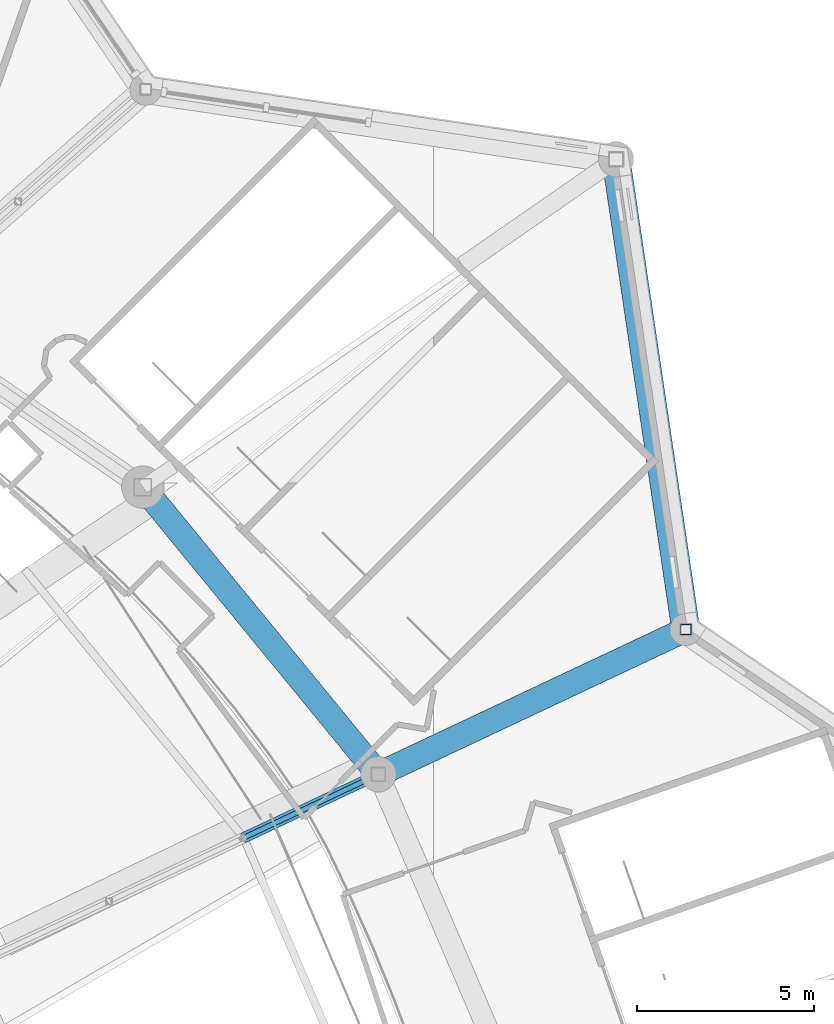
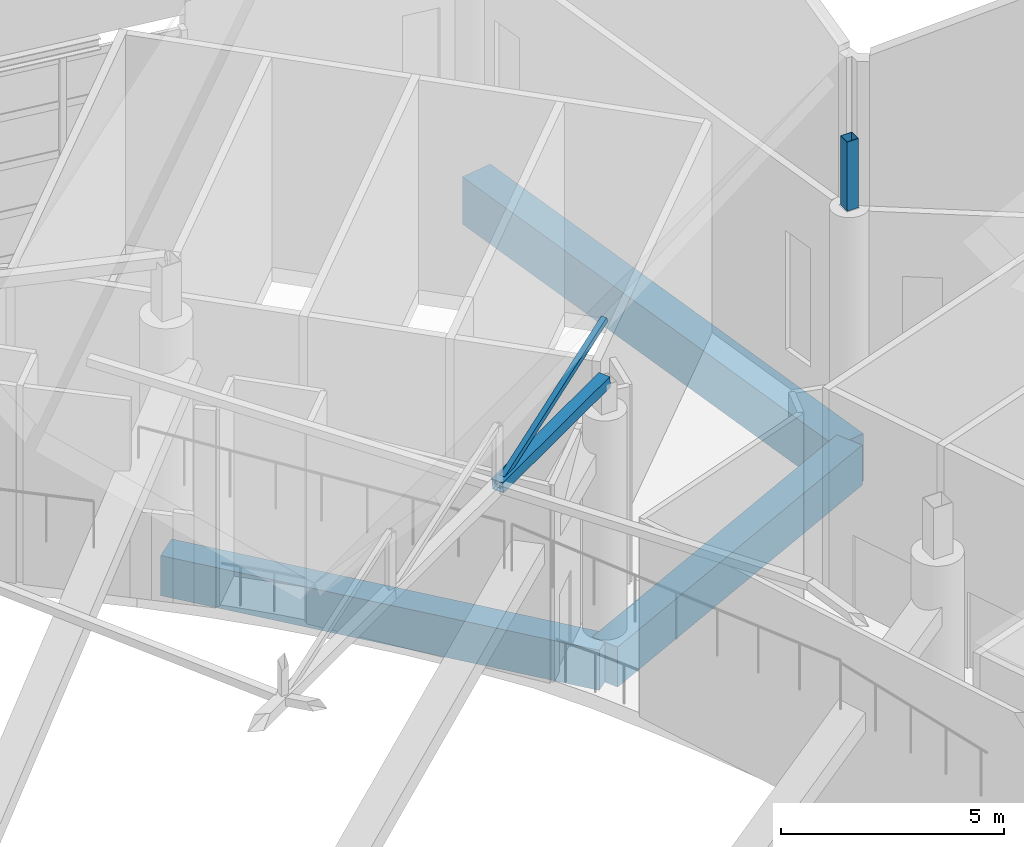
# One storey, part 197 of 344: 3 beams, 3 members.
"""IFC4 building model written with IfcOpenShell, lengths in metres."""

import ifcopenshell
import ifcopenshell.guid

model = None  # the IFC model being written
_history = None  # IfcOwnerHistory: only IFC2X3 demands one
_inside = {}  # id of a spatial element -> (the spatial element, [elements in it])
_under = {}  # id of a project, library or spatial element -> (it, [spatial elements below it])
_declared = {}  # id of a project -> (the project, [libraries it declares])
_typed = {}  # id of a type object -> (the type object, [elements of that type])
_made_of = {}  # id of a material, layer set ... -> (it, [elements and type objects made of it])


def new_model(schema):
    """Start an empty IFC model of exactly this schema.

    Asked for "IFC4X3", IfcOpenShell would pick the latest addendum, in which some entities
    have other attributes; the version numbers below select the first issue.
    IFC2X3 requires an IfcOwnerHistory on every rooted entity: one is made here for all.
    """
    global model, _history
    if schema == "IFC4X3":
        model = ifcopenshell.file(schema_version=(4, 3, 0, 0))
    else:
        model = ifcopenshell.file(schema=schema)
    _inside.clear()
    _under.clear()
    _declared.clear()
    _typed.clear()
    _made_of.clear()
    _history = None
    if model.schema == "IFC2X3":
        org = make("IfcOrganization", Name="unknown")
        user = make(
            "IfcPersonAndOrganization",
            ThePerson=make("IfcPerson", FamilyName="unknown"),
            TheOrganization=org,
        )
        app = make(
            "IfcApplication",
            ApplicationDeveloper=org,
            Version="unknown",
            ApplicationFullName="unknown",
            ApplicationIdentifier="unknown",
        )
        _history = make(
            "IfcOwnerHistory",
            OwningUser=user,
            OwningApplication=app,
            ChangeAction="ADDED",
            CreationDate=0,
        )
    return model


def make(cls, **values):
    """One entity of the class cls with the attributes given. An attribute that is None is left unset."""
    return model.create_entity(
        cls, **{name: value for name, value in values.items() if value is not None}
    )


def rooted(cls, **values):
    """An entity with a GlobalId (a new one), such as an element, a storey or a relation."""
    return make(cls, GlobalId=ifcopenshell.guid.new(), OwnerHistory=_history, **values)


def si_unit(unit_type, name, prefix=None):
    """IfcSIUnit, for example si_unit("LENGTHUNIT", "METRE", prefix="MILLI")."""
    return make("IfcSIUnit", UnitType=unit_type, Prefix=prefix, Name=name)


def assignment(units):
    """IfcUnitAssignment: the units of a project."""
    return None if units is None else make("IfcUnitAssignment", Units=units)


def point(xyz):
    """IfcCartesianPoint."""
    return None if xyz is None else make("IfcCartesianPoint", Coordinates=xyz)


def direction(xyz):
    """IfcDirection."""
    return None if xyz is None else make("IfcDirection", DirectionRatios=xyz)


def frame(location, z_axis=None, x_axis=None):
    """IfcAxis2Placement3D, a coordinate frame: its origin and axes. An axis left out is left unset."""
    return make(
        "IfcAxis2Placement3D",
        Location=point(location),
        Axis=direction(z_axis),
        RefDirection=direction(x_axis),
    )


def frame_2d(location, x_axis=None):
    """IfcAxis2Placement2D, a coordinate frame in the plane: its origin and x axis."""
    return make(
        "IfcAxis2Placement2D", Location=point(location), RefDirection=direction(x_axis)
    )


def origin():
    """The frame at (0, 0, 0) with its axes left unset."""
    return frame((0.0, 0.0, 0.0))


def origin_2d():
    """The frame at (0, 0) in the plane with its x axis left unset."""
    return frame_2d((0.0, 0.0))


def place(relative_to, where):
    """IfcLocalPlacement: puts the frame where relative to a parent placement (None: the world)."""
    return make(
        "IfcLocalPlacement", PlacementRelTo=relative_to, RelativePlacement=where
    )


def context(
    kind, dimensions, precision=None, world=None, true_north=None, identifier=None
):
    """IfcGeometricRepresentationContext, for example the 3D "Model" context."""
    return make(
        "IfcGeometricRepresentationContext",
        ContextIdentifier=identifier,
        ContextType=kind,
        CoordinateSpaceDimension=dimensions,
        Precision=precision,
        WorldCoordinateSystem=world,
        TrueNorth=true_north,
    )


def subcontext(parent, identifier, kind, view, scale=None):
    """IfcGeometricRepresentationSubContext, for example "Body" below "Model"."""
    return make(
        "IfcGeometricRepresentationSubContext",
        ContextIdentifier=identifier,
        ContextType=kind,
        ParentContext=parent,
        TargetScale=scale,
        TargetView=view,
    )


def project(units=None, contexts=None):
    """IfcProject with its units and contexts."""
    return rooted(
        "IfcProject",
        Name="project",
        RepresentationContexts=contexts,
        UnitsInContext=assignment(units),
    )


def spatial(cls, under=None, at=None, **own):
    """A site, building, storey or space (cls), placed at a placement, below another one or the project."""
    s = rooted(cls, ObjectPlacement=at, **own)
    if under is not None:
        _under.setdefault(under.id(), (under, []))[1].append(s)
    return s


def profile(cls, at=None, kind="AREA", **sizes):
    """A parametric profile (cls). Its sizes go by their IFC names, for example OverallWidth=200.0."""
    return make(cls, ProfileType=kind, Position=at, **sizes)


def rectangle(**sizes):
    """IfcRectangleProfileDef."""
    return profile("IfcRectangleProfileDef", **sizes)


def hollow_rectangle(**sizes):
    """IfcRectangleHollowProfileDef."""
    return profile("IfcRectangleHollowProfileDef", **sizes)


def extrude(swept, where, along, depth):
    """IfcExtrudedAreaSolid: the profile swept, set in the frame where, extruded along a direction by depth."""
    return make(
        "IfcExtrudedAreaSolid",
        SweptArea=swept,
        Position=where,
        ExtrudedDirection=direction(along),
        Depth=depth,
    )


def shape(context_of_items, identifier, shape_type, items):
    """IfcShapeRepresentation: the items that make up one representation, for example the "Body"."""
    return make(
        "IfcShapeRepresentation",
        ContextOfItems=context_of_items,
        RepresentationIdentifier=identifier,
        RepresentationType=shape_type,
        Items=items,
    )


def material(Name=None, Category=None):
    """IfcMaterial."""
    return make("IfcMaterial", Name=Name, Category=Category)


def material_profile(
    of_material, cross_section, Name=None, Category=None, Priority=None
):
    """IfcMaterialProfile: a cross section and its material."""
    return make(
        "IfcMaterialProfile",
        Name=Name,
        Material=of_material,
        Profile=cross_section,
        Priority=Priority,
        Category=Category,
    )


def profile_set(profiles, Name=None, composite=None):
    """IfcMaterialProfileSet."""
    return make(
        "IfcMaterialProfileSet",
        Name=Name,
        MaterialProfiles=profiles,
        CompositeProfile=composite,
    )


def made_of(thing, what):
    """Note that an element or type object is made of a material, layer set ...; save() writes the relation."""
    if what is not None:
        _made_of.setdefault(what.id(), (what, []))[1].append(thing)
    return thing


def type_object(cls, material=None, **own):
    """A type object (cls), such as IfcWallType, which elements share."""
    return made_of(rooted(cls, **own), material)


def element(
    cls,
    number,
    at=None,
    inside=None,
    cuts=None,
    type_object=None,
    material=None,
    context=None,
    identifier="Body",
    shape_type=None,
    held_by="IfcProductDefinitionShape",
    body=None,
    shapes=None,
    **own,
):
    """One element of the class cls, such as IfcWall. Its Tag is "e" and its number.

    at: its placement. inside: the storey or other place that contains it. cuts: it is an
    opening in that element (IfcRelVoidsElement). A single representation is given by context,
    identifier, shape_type and body (its items); several are given by shapes. held_by: the class
    of the entity that holds the representations. save() writes the other relations.
    """
    e = rooted(cls, Tag="e%d" % number, ObjectPlacement=at, **own)
    if body is not None:
        shapes = [shape(context, identifier, shape_type, body)]
    if shapes is not None:
        e.Representation = make(held_by, Representations=shapes)
    if inside is not None:
        _inside.setdefault(inside.id(), (inside, []))[1].append(e)
    if cuts is not None:
        rooted(
            "IfcRelVoidsElement", RelatingBuildingElement=cuts, RelatedOpeningElement=e
        )
    if type_object is not None:
        _typed.setdefault(type_object.id(), (type_object, []))[1].append(e)
    return made_of(e, material)


def aggregate(whole, parts):
    """IfcRelAggregates: a whole, such as a stair, and the parts it consists of."""
    return rooted("IfcRelAggregates", RelatingObject=whole, RelatedObjects=parts)


def save(model, path):
    """Write the relations noted so far, then the file.

    IfcRelAggregates (storeys below a building ...), IfcRelContainedInSpatialStructure (elements
    in a storey), IfcRelDefinesByType, IfcRelAssociatesMaterial and IfcRelDeclares: one each for
    every whole, place, type object, material and project.
    """
    for whole, parts in _under.values():
        aggregate(whole, parts)
    for where, things in _inside.values():
        rooted(
            "IfcRelContainedInSpatialStructure",
            RelatedElements=things,
            RelatingStructure=where,
        )
    for kind, things in _typed.values():
        rooted("IfcRelDefinesByType", RelatedObjects=things, RelatingType=kind)
    for what, things in _made_of.values():
        rooted("IfcRelAssociatesMaterial", RelatedObjects=things, RelatingMaterial=what)
    for by, libraries in _declared.values():
        rooted("IfcRelDeclares", RelatingContext=by, RelatedDefinitions=libraries)
    model.write(path)


model = new_model("IFC4")

# Units and contexts
model_context = context("Model", 3, precision=1e-05, world=origin(), true_north=direction((0.0, 1.0)))
body_context = subcontext(model_context, "Body", "Model", "MODEL_VIEW")
ifc_project = project(units=[si_unit("LENGTHUNIT", "METRE"), si_unit("AREAUNIT", "SQUARE_METRE"), si_unit("VOLUMEUNIT", "CUBIC_METRE"), si_unit("PLANEANGLEUNIT", "RADIAN"), si_unit("MASSUNIT", "GRAM", prefix="KILO")], contexts=[model_context])

# Site, building, storey
site_placement = place(None, origin())
site = spatial("IfcSite", under=ifc_project, at=site_placement, CompositionType="ELEMENT")
building_placement = place(site_placement, origin())
building = spatial("IfcBuilding", under=site, at=building_placement, Name="Meseta Stadium", CompositionType="ELEMENT")
storey_placement = place(building_placement, frame((0.0, 0.0, 24.0)))
storey = spatial("IfcBuildingStorey", under=building, at=storey_placement, Name="L04", CompositionType="ELEMENT", Elevation=24.0)

# Beams
ifc_material_1 = material(Name="Concrete C40/50", Category="concrete")
ifc_material_profile_1 = material_profile(ifc_material_1, rectangle(XDim=0.699951171875, YDim=1.10009765625, at=origin_2d()), Name="RC 700x1100")
ifc_profile_set_1 = profile_set([ifc_material_profile_1], Name="Concrete C40/50")
beam_type_1 = type_object("IfcBeamType", Name="RC beam 700x1100", PredefinedType="BEAM", material=ifc_profile_set_1)
beam_1_placement = place(storey_placement, frame((78.4453125, 71.756103515625, -0.949951171875), z_axis=(-0.634137323649, 0.773220443829, 0.0), x_axis=(-0.773220443829, -0.634137323649, 0.0)))
element("IfcBeam", 1, at=beam_1_placement, inside=storey, type_object=beam_type_1, Name="L04 ring beam frame 11 line P", PredefinedType="BEAM", context=body_context, shape_type="SweptSolid", body=[
    extrude(rectangle(XDim=0.699951171875, YDim=1.10009765625, at=origin_2d()), origin(), (0.0, 0.0, 1.0), 10.51806640625),
])
beam_2_placement = place(storey_placement, frame((78.4453125, 71.756103515625, -0.949951171875), z_axis=(0.904664550747, 0.426124454382, 0.0), x_axis=(-0.426124454382, 0.904664550747, 0.0)))
element("IfcBeam", 2, at=beam_2_placement, inside=storey, type_object=beam_type_1, Name="L04 radial beam frame 11 line P to R", PredefinedType="BEAM", context=body_context, shape_type="SweptSolid", body=[
    extrude(rectangle(XDim=0.699951171875, YDim=1.10009765625, at=origin_2d()), origin(), (0.0, 0.0, 1.0), 9.623046875),
])
ifc_material_2 = material(Name="Concrete C40/50", Category="concrete")
ifc_material_profile_2 = material_profile(ifc_material_2, rectangle(XDim=0.800048828125, YDim=1.300048828125, at=origin_2d()), Name="RC 800x1300")
ifc_profile_set_2 = profile_set([ifc_material_profile_2], Name="Concrete C40/50")
beam_type_2 = type_object("IfcBeamType", Name="RC beam 800x1300", PredefinedType="BEAM", material=ifc_profile_set_2)
beam_3_placement = place(storey_placement, frame((87.15087890625, 75.856689453125, -1.050048828125), z_axis=(-0.146870032835, 0.989155798373, 0.0), x_axis=(-0.989155798373, -0.146870032835, 0.0)))
element("IfcBeam", 3, at=beam_3_placement, inside=storey, type_object=beam_type_2, Name="L04 ring beam frame 11 line R", PredefinedType="BEAM", context=body_context, shape_type="SweptSolid", body=[
    extrude(rectangle(XDim=0.800048828125, YDim=1.300048828125, at=origin_2d()), origin(), (0.0, 0.0, 1.0), 13.462890625),
])

# Members
ifc_material_3 = material(Name="Steel S355", Category="steel")
ifc_material_profile_3 = material_profile(ifc_material_3, hollow_rectangle(XDim=0.139892578125, YDim=0.139892578125, WallThickness=0.0048828125, at=origin_2d()), Name="SHS 140x140x5")
ifc_profile_set_3 = profile_set([ifc_material_profile_3], Name="Steel S355")
member_type_1 = type_object("IfcMemberType", Name="SHS 140x140x5 diagonal", PredefinedType="BRACE", material=ifc_profile_set_3)
member_1_placement = place(storey_placement, frame((74.630126953125, 69.958740234375, 6.298583984375), z_axis=(0.804671329976, 0.379086858084, 0.456943327715), x_axis=(-0.426181724525, 0.904637572556, 0.0)))
element("IfcMember", 4, at=member_1_placement, inside=storey, type_object=member_type_1, Name="ROOF TRUSS RT-11 diagonal", PredefinedType="BRACE", context=body_context, shape_type="SweptSolid", body=[
    extrude(hollow_rectangle(XDim=0.139892578125, YDim=0.139892578125, WallThickness=0.0048828125, at=origin_2d()), origin(), (0.0, 0.0, 1.0), 4.7412109375),
])
ifc_material_4 = material(Name="Steel S355", Category="steel")
ifc_material_profile_4 = material_profile(ifc_material_4, hollow_rectangle(XDim=0.300048828125, YDim=0.300048828125, WallThickness=0.010009765625, at=origin_2d()), Name="SHS 300x300x10")
ifc_profile_set_4 = profile_set([ifc_material_profile_4], Name="Steel S355")
member_type_2 = type_object("IfcMemberType", Name="SHS 300x300x10 bottom chord", PredefinedType="CHORD", material=ifc_profile_set_4)
member_2_placement = place(storey_placement, frame((74.630126953125, 69.958740234375, 6.298583984375), z_axis=(0.898670254409, 0.423370475009, 0.114670025423), x_axis=(-0.426181724525, 0.904637572556, 0.0)))
element("IfcMember", 5, at=member_2_placement, inside=storey, type_object=member_type_2, Name="ROOF TRUSS RT-11 bottom chord", PredefinedType="CHORD", context=body_context, shape_type="SweptSolid", body=[
    extrude(hollow_rectangle(XDim=0.300048828125, YDim=0.300048828125, WallThickness=0.010009765625, at=origin_2d()), origin(), (0.0, 0.0, 1.0), 4.245361328125),
])
ifc_material_5 = material(Name="Steel S355", Category="steel")
ifc_material_profile_5 = material_profile(ifc_material_5, hollow_rectangle(XDim=0.300048828125, YDim=0.300048828125, WallThickness=0.010009765625, at=origin_2d()), Name="SHS 300x300x10")
ifc_profile_set_5 = profile_set([ifc_material_profile_5], Name="Steel S355")
member_type_3 = type_object("IfcMemberType", Name="SHS 300x300x10 rim post", PredefinedType="POST", material=ifc_profile_set_5)
member_3_placement = place(storey_placement, frame((87.15087890625, 75.856689453125, 6.0), z_axis=(0.0, 0.0, 1.0), x_axis=(1.0, 0.0, 0.0)))
element("IfcMember", 6, at=member_3_placement, inside=storey, type_object=member_type_3, Name="ROOF RIM POST RT-11", PredefinedType="POST", context=body_context, shape_type="SweptSolid", body=[
    extrude(hollow_rectangle(XDim=0.300048828125, YDim=0.300048828125, WallThickness=0.010009765625, at=origin_2d()), origin(), (0.0, 0.0, 1.0), 1.896240234375),
])

save(model, "model.ifc")
